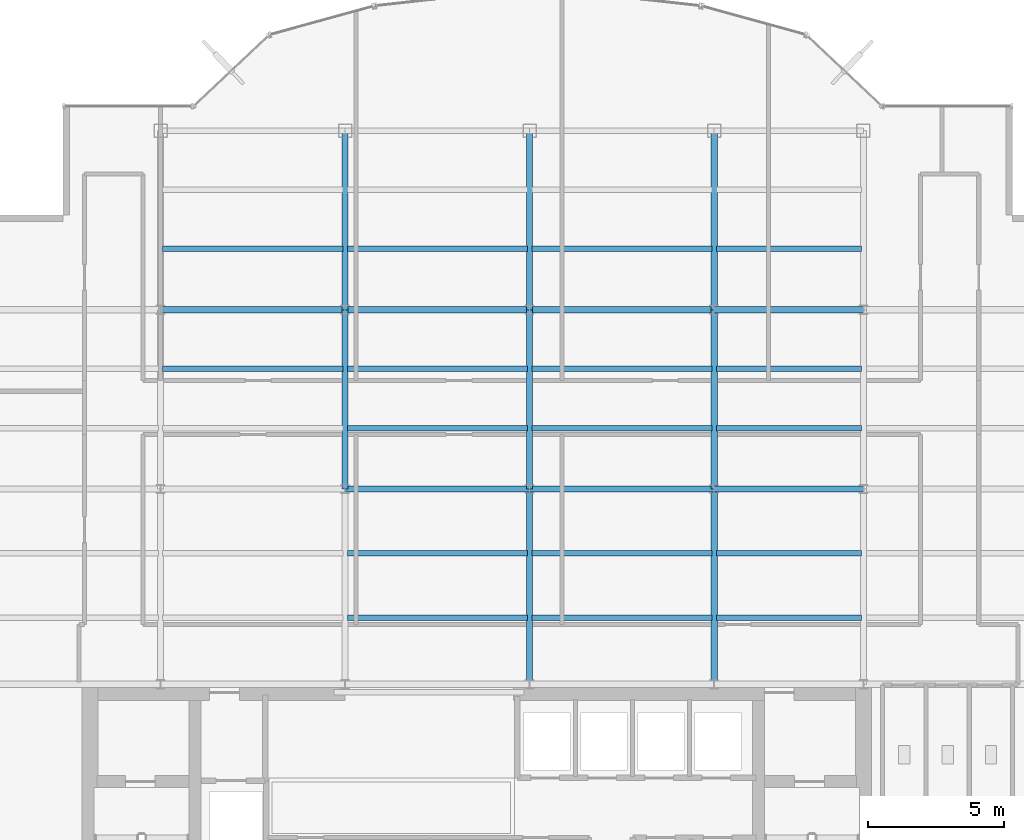
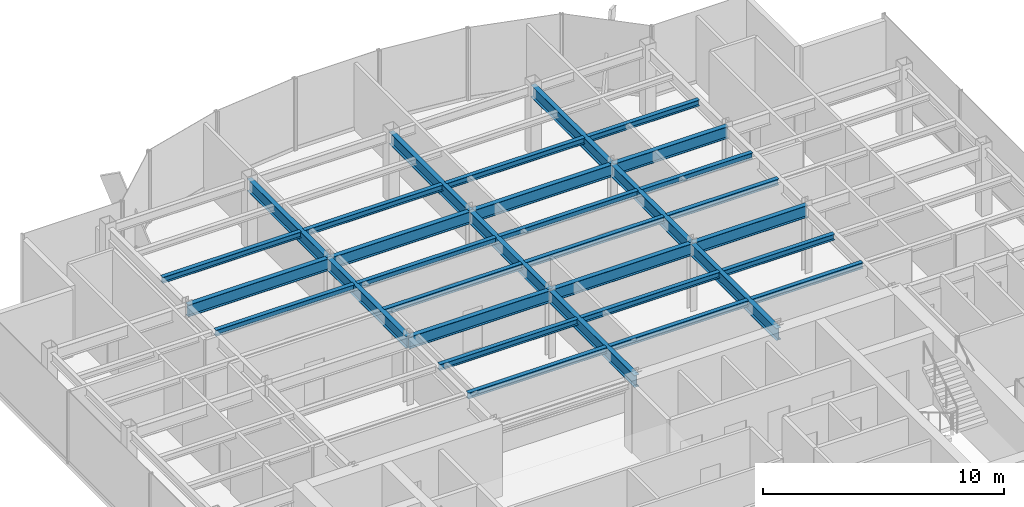
# One storey, part 8 of 22: 32 beams.
"""IFC4 building model written with IfcOpenShell, lengths in metres."""

from ifc_helpers import new_model, si_unit, derived_unit, direction, frame, origin, origin_2d, place, context, subcontext, project, spatial, i_section, extrude, source, transform, mapped, material, material_profile, profile_set, type_object, element, save


model = new_model("IFC4")

# Units and contexts
model_context = context("Model", 3, precision=1e-05, world=origin(), true_north=direction((0.0, 1.0)))
body_context = subcontext(model_context, "Body", "Model", "MODEL_VIEW")
ifc_project = project(units=[si_unit("LENGTHUNIT", "METRE"), si_unit("AREAUNIT", "SQUARE_METRE"), si_unit("VOLUMEUNIT", "CUBIC_METRE"), si_unit("PLANEANGLEUNIT", "RADIAN"), si_unit("MASSUNIT", "GRAM", prefix="KILO"), derived_unit("THERMALTRANSMITTANCEUNIT", [(si_unit("POWERUNIT", "WATT"), 1), (si_unit("LENGTHUNIT", "METRE"), -2), (si_unit("THERMODYNAMICTEMPERATUREUNIT", "KELVIN"), -1)])], contexts=[model_context])

# Site, building, storey
site_placement = place(None, origin())
site = spatial("IfcSite", under=ifc_project, at=site_placement, CompositionType="ELEMENT")
building_placement = place(site_placement, origin())
building = spatial("IfcBuilding", under=site, at=building_placement, Name="Skarnbrae Concourse Arena and Tower", CompositionType="ELEMENT")
storey_placement = place(building_placement, frame((0.0, 0.0, 251.5)))
storey = spatial("IfcBuildingStorey", under=building, at=storey_placement, Name="L65", CompositionType="ELEMENT", Elevation=251.5)

# Beams
ifc_material = material(Name="Steel CSA G40.21 350W", Category="steel")
ifc_material_profile_1 = material_profile(ifc_material, i_section(OverallWidth=0.22802734375, OverallDepth=0.60791015625, WebThickness=0.01123046875, FlangeThickness=0.017333984375, at=origin_2d()), Name="W610X113")
ifc_profile_set_1 = profile_set([ifc_material_profile_1], Name="Steel CSA G40.21 350W")
beam_type_1 = type_object("IfcBeamType", Name="BM-GIRD-W610X113", PredefinedType="BEAM", material=ifc_profile_set_1)
shared_shape_1 = source(origin(), body_context, "Body", "SweptSolid", [
    extrude(i_section(OverallWidth=0.22802734375, OverallDepth=0.60791015625, WebThickness=0.01123046875, FlangeThickness=0.017333984375, at=origin_2d()), origin(), (0.0, 0.0, 1.0), 6.60009765625),
])
for number, where, z_axis, x_axis, name in (
    (1, (14.39990234375, 21.199951171875, 3.095947265625), (0.0, 1.0, 0.0), (-1.0, 0.0, 0.0), "L65 Primary N-S girder X14.4-2"),
    (2, (21.199951171875, 21.199951171875, 3.095947265625), (0.0, 1.0, 0.0), (-1.0, 0.0, 0.0), "L65 Primary N-S girder X21.2-2"),
    (3, (28.0, 21.199951171875, 3.095947265625), (0.0, 1.0, 0.0), (-1.0, 0.0, 0.0), "L65 Primary N-S girder X28.0-2"),
):
    element("IfcBeam", number, at=place(storey_placement, frame(where, z_axis=z_axis, x_axis=x_axis)), inside=storey, type_object=beam_type_1, Name=name, PredefinedType="BEAM", context=body_context, shape_type="MappedRepresentation", body=[
        mapped(shared_shape_1, transform((0.0, 0.0, 0.0))),
    ])
shared_shape_2 = source(origin(), body_context, "Body", "SweptSolid", [
    extrude(i_section(OverallWidth=0.22802734375, OverallDepth=0.60791015625, WebThickness=0.01123046875, FlangeThickness=0.017333984375, at=origin_2d()), origin(), (0.0, 0.0, 1.0), 6.7998046875),
])
beam_placement = place(storey_placement, frame((7.60009765625, 27.800048828125, 3.095947265625), z_axis=(1.0, 0.0, 0.0), x_axis=(0.0, 1.0, 0.0)))
element("IfcBeam", 4, at=beam_placement, inside=storey, type_object=beam_type_1, Name="L65 Primary E-W girder Y27.8-2", PredefinedType="BEAM", context=body_context, shape_type="MappedRepresentation", body=[
    mapped(shared_shape_2, transform((0.0, 0.0, 0.0))),
])
shared_shape_3 = source(origin(), body_context, "Body", "SweptSolid", [
    extrude(i_section(OverallWidth=0.22802734375, OverallDepth=0.60791015625, WebThickness=0.01123046875, FlangeThickness=0.017333984375, at=origin_2d()), origin(), (0.0, 0.0, 1.0), 6.800048828125),
])
for number, where, z_axis, x_axis, name in (
    (5, (14.39990234375, 21.199951171875, 3.095947265625), (1.0, 0.0, 0.0), (0.0, 1.0, 0.0), "L65 Primary E-W girder Y21.2-3"),
    (6, (21.199951171875, 21.199951171875, 3.095947265625), (1.0, 0.0, 0.0), (0.0, 1.0, 0.0), "L65 Primary E-W girder Y21.2-4"),
    (7, (14.39990234375, 27.800048828125, 3.095947265625), (1.0, 0.0, 0.0), (0.0, 1.0, 0.0), "L65 Primary E-W girder Y27.8-3"),
    (8, (21.199951171875, 27.800048828125, 3.095947265625), (1.0, 0.0, 0.0), (0.0, 1.0, 0.0), "L65 Primary E-W girder Y27.8-4"),
):
    element("IfcBeam", number, at=place(storey_placement, frame(where, z_axis=z_axis, x_axis=x_axis)), inside=storey, type_object=beam_type_1, Name=name, PredefinedType="BEAM", context=body_context, shape_type="MappedRepresentation", body=[
        mapped(shared_shape_3, transform((0.0, 0.0, 0.0))),
    ])
shared_shape_4 = source(origin(), body_context, "Body", "SweptSolid", [
    extrude(i_section(OverallWidth=0.22802734375, OverallDepth=0.60791015625, WebThickness=0.01123046875, FlangeThickness=0.017333984375, at=origin_2d()), origin(), (0.0, 0.0, 1.0), 5.5),
])
for number, where, z_axis, x_axis, name in (
    (9, (28.0, 21.199951171875, 3.095947265625), (1.0, 0.0, 0.0), (0.0, 1.0, 0.0), "L65 Primary E-W girder Y21.2-5"),
    (10, (28.0, 27.800048828125, 3.095947265625), (1.0, 0.0, 0.0), (0.0, 1.0, 0.0), "L65 Primary E-W girder Y27.8-5"),
):
    element("IfcBeam", number, at=place(storey_placement, frame(where, z_axis=z_axis, x_axis=x_axis)), inside=storey, type_object=beam_type_1, Name=name, PredefinedType="BEAM", context=body_context, shape_type="MappedRepresentation", body=[
        mapped(shared_shape_4, transform((0.0, 0.0, 0.0))),
    ])
shared_shape_5 = source(origin(), body_context, "Body", "SweptSolid", [
    extrude(i_section(OverallWidth=0.22802734375, OverallDepth=0.60791015625, WebThickness=0.01123046875, FlangeThickness=0.017333984375, at=origin_2d()), origin(), (0.0, 0.0, 1.0), 7.199951171875),
])
for number, where, z_axis, x_axis, name in (
    (11, (21.199951171875, 14.0, 3.095947265625), (0.0, 1.0, 0.0), (-1.0, 0.0, 0.0), "L65 Primary N-S girder X21.2-1"),
    (12, (28.0, 14.0, 3.095947265625), (0.0, 1.0, 0.0), (-1.0, 0.0, 0.0), "L65 Primary N-S girder X28.0-1"),
):
    element("IfcBeam", number, at=place(storey_placement, frame(where, z_axis=z_axis, x_axis=x_axis)), inside=storey, type_object=beam_type_1, Name=name, PredefinedType="BEAM", context=body_context, shape_type="MappedRepresentation", body=[
        mapped(shared_shape_5, transform((0.0, 0.0, 0.0))),
    ])
shared_shape_6 = source(origin(), body_context, "Body", "SweptSolid", [
    extrude(i_section(OverallWidth=0.22802734375, OverallDepth=0.60791015625, WebThickness=0.01123046875, FlangeThickness=0.017333984375, at=origin_2d()), origin(), (0.0, 0.0, 1.0), 6.599853515625),
])
for number, where, z_axis, x_axis, name in (
    (13, (14.39990234375, 27.800048828125, 3.095947265625), (0.0, 1.0, 0.0), (-1.0, 0.0, 0.0), "L65 Primary N-S girder X14.4-3"),
    (14, (21.199951171875, 27.800048828125, 3.095947265625), (0.0, 1.0, 0.0), (-1.0, 0.0, 0.0), "L65 Primary N-S girder X21.2-3"),
    (15, (28.0, 27.800048828125, 3.095947265625), (0.0, 1.0, 0.0), (-1.0, 0.0, 0.0), "L65 Primary N-S girder X28.0-3"),
):
    element("IfcBeam", number, at=place(storey_placement, frame(where, z_axis=z_axis, x_axis=x_axis)), inside=storey, type_object=beam_type_1, Name=name, PredefinedType="BEAM", context=body_context, shape_type="MappedRepresentation", body=[
        mapped(shared_shape_6, transform((0.0, 0.0, 0.0))),
    ])
ifc_material_profile_2 = material_profile(ifc_material, i_section(OverallWidth=0.202880859375, OverallDepth=0.302978515625, WebThickness=0.007568359375, FlangeThickness=0.01318359375, at=origin_2d()), Name="W310X60")
ifc_profile_set_2 = profile_set([ifc_material_profile_2], Name="Steel CSA G40.21 350W")
beam_type_2 = type_object("IfcBeamType", Name="BM-JOIST-W310X60", PredefinedType="JOIST", material=ifc_profile_set_2)
shared_shape_7 = source(origin(), body_context, "Body", "SweptSolid", [
    extrude(i_section(OverallWidth=0.202880859375, OverallDepth=0.302978515625, WebThickness=0.007568359375, FlangeThickness=0.01318359375, at=origin_2d()), origin(), (0.0, 0.0, 1.0), 6.64013671875),
])
for number, where, z_axis, x_axis, name in (
    (16, (14.47998046875, 16.447998046875, 3.24853515625), (1.0, 0.0, 0.0), (0.0, 1.0, 0.0), "L65 Secondary floor joist 1.1.3"),
    (17, (14.47998046875, 18.823974609375, 3.24853515625), (1.0, 0.0, 0.0), (0.0, 1.0, 0.0), "L65 Secondary floor joist 1.2.3"),
    (18, (14.47998046875, 23.444091796875, 3.24853515625), (1.0, 0.0, 0.0), (0.0, 1.0, 0.0), "L65 Secondary floor joist 2.1.3"),
    (19, (7.679931640625, 25.6220703125, 3.24853515625), (1.0, 0.0, 0.0), (0.0, 1.0, 0.0), "L65 Secondary floor joist 2.2.2"),
    (20, (14.47998046875, 25.6220703125, 3.24853515625), (1.0, 0.0, 0.0), (0.0, 1.0, 0.0), "L65 Secondary floor joist 2.2.3"),
    (21, (7.679931640625, 30.0439453125, 3.24853515625), (1.0, 0.0, 0.0), (0.0, 1.0, 0.0), "L65 Secondary floor joist 3.1.1"),
    (22, (14.47998046875, 30.0439453125, 3.24853515625), (1.0, 0.0, 0.0), (0.0, 1.0, 0.0), "L65 Secondary floor joist 3.1.2"),
):
    element("IfcBeam", number, at=place(storey_placement, frame(where, z_axis=z_axis, x_axis=x_axis)), inside=storey, type_object=beam_type_2, Name=name, PredefinedType="JOIST", context=body_context, shape_type="MappedRepresentation", body=[
        mapped(shared_shape_7, transform((0.0, 0.0, 0.0))),
    ])
shared_shape_8 = source(origin(), body_context, "Body", "SweptSolid", [
    extrude(i_section(OverallWidth=0.202880859375, OverallDepth=0.302978515625, WebThickness=0.007568359375, FlangeThickness=0.01318359375, at=origin_2d()), origin(), (0.0, 0.0, 1.0), 6.639892578125),
])
for number, where, z_axis, x_axis, name in (
    (23, (21.280029296875, 16.447998046875, 3.24853515625), (1.0, 0.0, 0.0), (0.0, 1.0, 0.0), "L65 Secondary floor joist 1.1.4"),
    (24, (21.280029296875, 18.823974609375, 3.24853515625), (1.0, 0.0, 0.0), (0.0, 1.0, 0.0), "L65 Secondary floor joist 1.2.4"),
    (25, (21.280029296875, 23.444091796875, 3.24853515625), (1.0, 0.0, 0.0), (0.0, 1.0, 0.0), "L65 Secondary floor joist 2.1.4"),
    (26, (21.280029296875, 25.6220703125, 3.24853515625), (1.0, 0.0, 0.0), (0.0, 1.0, 0.0), "L65 Secondary floor joist 2.2.4"),
    (27, (21.280029296875, 30.0439453125, 3.24853515625), (1.0, 0.0, 0.0), (0.0, 1.0, 0.0), "L65 Secondary floor joist 3.1.3"),
):
    element("IfcBeam", number, at=place(storey_placement, frame(where, z_axis=z_axis, x_axis=x_axis)), inside=storey, type_object=beam_type_2, Name=name, PredefinedType="JOIST", context=body_context, shape_type="MappedRepresentation", body=[
        mapped(shared_shape_8, transform((0.0, 0.0, 0.0))),
    ])
shared_shape_9 = source(origin(), body_context, "Body", "SweptSolid", [
    extrude(i_section(OverallWidth=0.202880859375, OverallDepth=0.302978515625, WebThickness=0.007568359375, FlangeThickness=0.01318359375, at=origin_2d()), origin(), (0.0, 0.0, 1.0), 5.33984375),
])
for number, where, z_axis, x_axis, name in (
    (28, (28.080078125, 16.447998046875, 3.24853515625), (1.0, 0.0, 0.0), (0.0, 1.0, 0.0), "L65 Secondary floor joist 1.1.5"),
    (29, (28.080078125, 18.823974609375, 3.24853515625), (1.0, 0.0, 0.0), (0.0, 1.0, 0.0), "L65 Secondary floor joist 1.2.5"),
    (30, (28.080078125, 23.444091796875, 3.24853515625), (1.0, 0.0, 0.0), (0.0, 1.0, 0.0), "L65 Secondary floor joist 2.1.5"),
    (31, (28.080078125, 25.6220703125, 3.24853515625), (1.0, 0.0, 0.0), (0.0, 1.0, 0.0), "L65 Secondary floor joist 2.2.5"),
    (32, (28.080078125, 30.0439453125, 3.24853515625), (1.0, 0.0, 0.0), (0.0, 1.0, 0.0), "L65 Secondary floor joist 3.1.4"),
):
    element("IfcBeam", number, at=place(storey_placement, frame(where, z_axis=z_axis, x_axis=x_axis)), inside=storey, type_object=beam_type_2, Name=name, PredefinedType="JOIST", context=body_context, shape_type="MappedRepresentation", body=[
        mapped(shared_shape_9, transform((0.0, 0.0, 0.0))),
    ])

save(model, "model.ifc")
